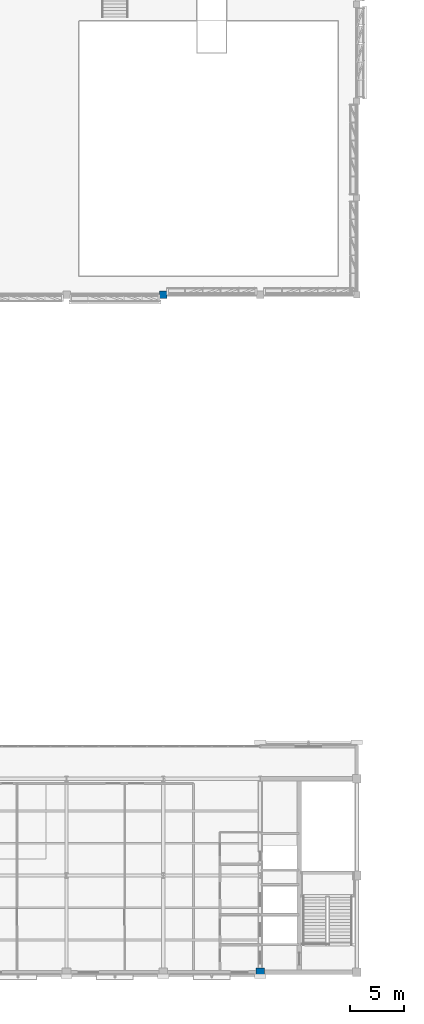
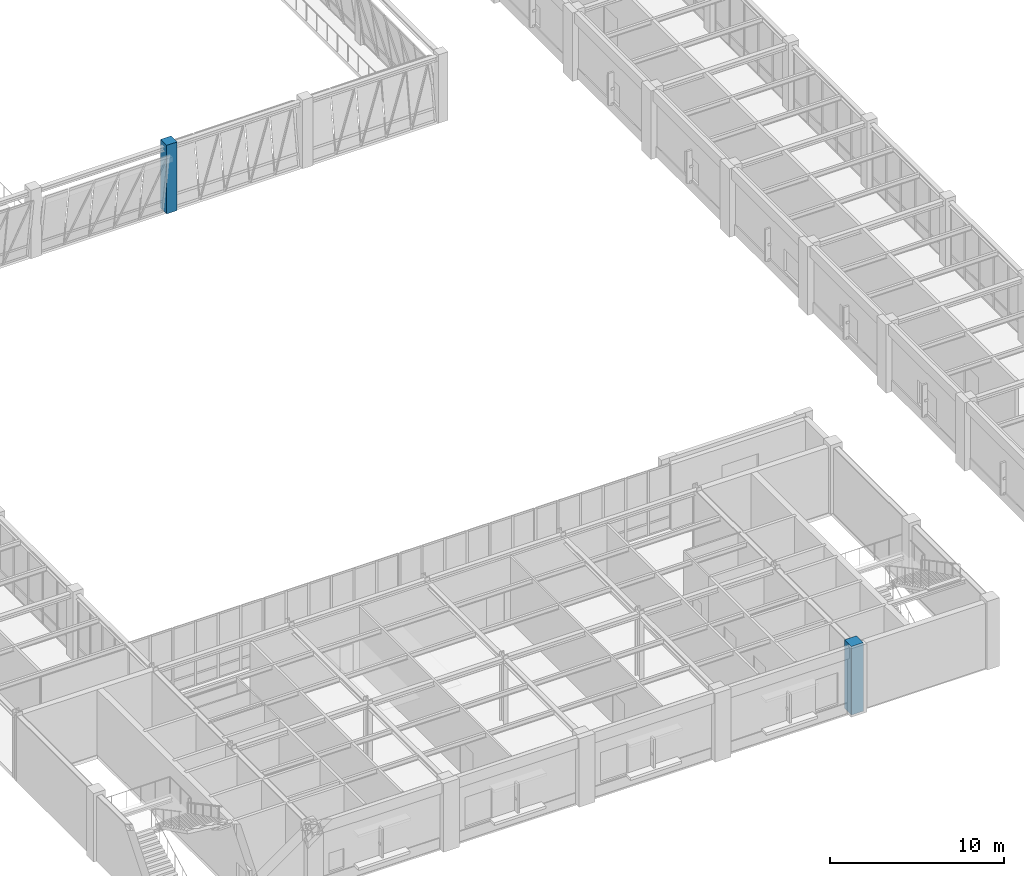
# One storey, part 4 of 98: 2 columns.
"""IFC4 building model written with IfcOpenShell, lengths in metres."""

from ifc_helpers import new_model, si_unit, direction, frame, origin, origin_2d, place, context, subcontext, project, spatial, rectangle, extrude, material, material_profile, profile_set, type_object, element, save


model = new_model("IFC4")

# Units and contexts
model_context = context("Model", 3, precision=1e-05, world=origin(), true_north=direction((0.0, 1.0)))
body_context = subcontext(model_context, "Body", "Model", "MODEL_VIEW")
ifc_project = project(units=[si_unit("LENGTHUNIT", "METRE"), si_unit("AREAUNIT", "SQUARE_METRE"), si_unit("VOLUMEUNIT", "CUBIC_METRE"), si_unit("PLANEANGLEUNIT", "RADIAN"), si_unit("MASSUNIT", "GRAM", prefix="KILO")], contexts=[model_context])

# Site, building, storey
site_placement = place(None, origin())
site = spatial("IfcSite", under=ifc_project, at=site_placement, CompositionType="ELEMENT")
building_placement = place(site_placement, origin())
building = spatial("IfcBuilding", under=site, at=building_placement, Name="Lykobir Media Centre", CompositionType="ELEMENT")
storey_placement = place(building_placement, frame((0.0, 0.0, 10.199951171875)))
storey = spatial("IfcBuildingStorey", under=building, at=storey_placement, Name="L02", CompositionType="ELEMENT", Elevation=10.199951171875)

# Columns
ifc_material = material(Name="Concrete C40/50", Category="concrete")
ifc_material_profile_1 = material_profile(ifc_material, rectangle(XDim=0.699951171875, YDim=0.699951171875, at=origin_2d()), Name="RC 700x700")
ifc_profile_set_1 = profile_set([ifc_material_profile_1], Name="Concrete C40/50")
column_type_1 = type_object("IfcColumnType", Name="RC-C700", PredefinedType="COLUMN", material=ifc_profile_set_1)
column_1_placement = place(storey_placement, frame((63.0, 63.0, 0.0), z_axis=(0.0, 0.0, 1.0), x_axis=(1.0, 0.0, 0.0)))
element("IfcColumn", 1, at=column_1_placement, inside=storey, type_object=column_type_1, Name="Column COL-L02-0630-0630", PredefinedType="COLUMN", context=body_context, shape_type="SweptSolid", body=[
    extrude(rectangle(XDim=0.699951171875, YDim=0.699951171875, at=origin_2d()), origin(), (0.0, 0.0, 1.0), 4.800048828125),
])
ifc_material_profile_2 = material_profile(ifc_material, rectangle(XDim=0.800048828125, YDim=0.800048828125, at=origin_2d()), Name="RC 800x800")
ifc_profile_set_2 = profile_set([ifc_material_profile_2], Name="Concrete C40/50")
column_type_2 = type_object("IfcColumnType", Name="RC-C800-E", PredefinedType="COLUMN", material=ifc_profile_set_2)
column_2_placement = place(storey_placement, frame((72.0, 0.0, 0.0), z_axis=(0.0, 0.0, 1.0), x_axis=(1.0, 0.0, 0.0)))
element("IfcColumn", 2, at=column_2_placement, inside=storey, type_object=column_type_2, Name="Column COL-L02-0720-0000", PredefinedType="COLUMN", context=body_context, shape_type="SweptSolid", body=[
    extrude(rectangle(XDim=0.800048828125, YDim=0.800048828125, at=origin_2d()), origin(), (0.0, 0.0, 1.0), 4.800048828125),
])

save(model, "model.ifc")
